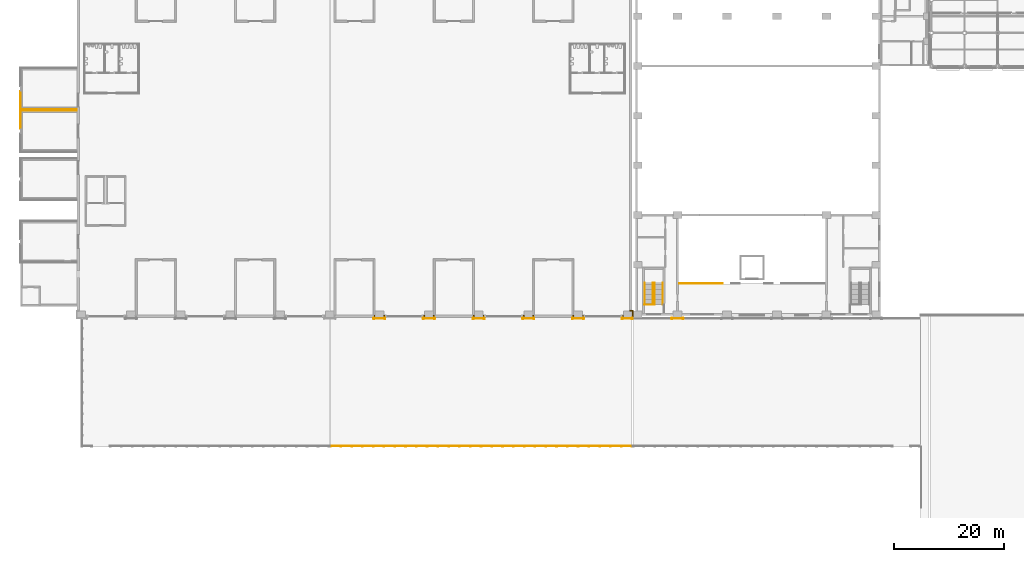
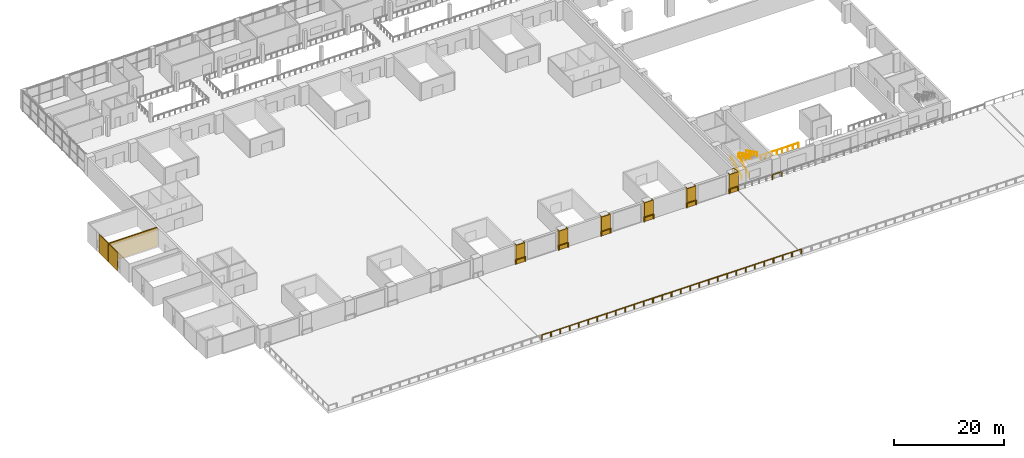
# One storey, part 30 of 39: 14 railings, 10 coverings.
"""IFC4 building model written with IfcOpenShell, lengths in metres."""

import ifcopenshell
import ifcopenshell.guid

model = None  # the IFC model being written
_history = None  # IfcOwnerHistory: only IFC2X3 demands one
_inside = {}  # id of a spatial element -> (the spatial element, [elements in it])
_under = {}  # id of a project, library or spatial element -> (it, [spatial elements below it])
_declared = {}  # id of a project -> (the project, [libraries it declares])
_typed = {}  # id of a type object -> (the type object, [elements of that type])
_made_of = {}  # id of a material, layer set ... -> (it, [elements and type objects made of it])


def new_model(schema):
    """Start an empty IFC model of exactly this schema.

    Asked for "IFC4X3", IfcOpenShell would pick the latest addendum, in which some entities
    have other attributes; the version numbers below select the first issue.
    IFC2X3 requires an IfcOwnerHistory on every rooted entity: one is made here for all.
    """
    global model, _history
    if schema == "IFC4X3":
        model = ifcopenshell.file(schema_version=(4, 3, 0, 0))
    else:
        model = ifcopenshell.file(schema=schema)
    _inside.clear()
    _under.clear()
    _declared.clear()
    _typed.clear()
    _made_of.clear()
    _history = None
    if model.schema == "IFC2X3":
        org = make("IfcOrganization", Name="unknown")
        user = make(
            "IfcPersonAndOrganization",
            ThePerson=make("IfcPerson", FamilyName="unknown"),
            TheOrganization=org,
        )
        app = make(
            "IfcApplication",
            ApplicationDeveloper=org,
            Version="unknown",
            ApplicationFullName="unknown",
            ApplicationIdentifier="unknown",
        )
        _history = make(
            "IfcOwnerHistory",
            OwningUser=user,
            OwningApplication=app,
            ChangeAction="ADDED",
            CreationDate=0,
        )
    return model


def make(cls, **values):
    """One entity of the class cls with the attributes given. An attribute that is None is left unset."""
    return model.create_entity(
        cls, **{name: value for name, value in values.items() if value is not None}
    )


def rooted(cls, **values):
    """An entity with a GlobalId (a new one), such as an element, a storey or a relation."""
    return make(cls, GlobalId=ifcopenshell.guid.new(), OwnerHistory=_history, **values)


def si_unit(unit_type, name, prefix=None):
    """IfcSIUnit, for example si_unit("LENGTHUNIT", "METRE", prefix="MILLI")."""
    return make("IfcSIUnit", UnitType=unit_type, Prefix=prefix, Name=name)


def assignment(units):
    """IfcUnitAssignment: the units of a project."""
    return None if units is None else make("IfcUnitAssignment", Units=units)


def point(xyz):
    """IfcCartesianPoint."""
    return None if xyz is None else make("IfcCartesianPoint", Coordinates=xyz)


def direction(xyz):
    """IfcDirection."""
    return None if xyz is None else make("IfcDirection", DirectionRatios=xyz)


def frame(location, z_axis=None, x_axis=None):
    """IfcAxis2Placement3D, a coordinate frame: its origin and axes. An axis left out is left unset."""
    return make(
        "IfcAxis2Placement3D",
        Location=point(location),
        Axis=direction(z_axis),
        RefDirection=direction(x_axis),
    )


def frame_2d(location, x_axis=None):
    """IfcAxis2Placement2D, a coordinate frame in the plane: its origin and x axis."""
    return make(
        "IfcAxis2Placement2D", Location=point(location), RefDirection=direction(x_axis)
    )


def origin():
    """The frame at (0, 0, 0) with its axes left unset."""
    return frame((0.0, 0.0, 0.0))


def origin_2d():
    """The frame at (0, 0) in the plane with its x axis left unset."""
    return frame_2d((0.0, 0.0))


def place(relative_to, where):
    """IfcLocalPlacement: puts the frame where relative to a parent placement (None: the world)."""
    return make(
        "IfcLocalPlacement", PlacementRelTo=relative_to, RelativePlacement=where
    )


def context(
    kind, dimensions, precision=None, world=None, true_north=None, identifier=None
):
    """IfcGeometricRepresentationContext, for example the 3D "Model" context."""
    return make(
        "IfcGeometricRepresentationContext",
        ContextIdentifier=identifier,
        ContextType=kind,
        CoordinateSpaceDimension=dimensions,
        Precision=precision,
        WorldCoordinateSystem=world,
        TrueNorth=true_north,
    )


def subcontext(parent, identifier, kind, view, scale=None):
    """IfcGeometricRepresentationSubContext, for example "Body" below "Model"."""
    return make(
        "IfcGeometricRepresentationSubContext",
        ContextIdentifier=identifier,
        ContextType=kind,
        ParentContext=parent,
        TargetScale=scale,
        TargetView=view,
    )


def project(units=None, contexts=None):
    """IfcProject with its units and contexts."""
    return rooted(
        "IfcProject",
        Name="project",
        RepresentationContexts=contexts,
        UnitsInContext=assignment(units),
    )


def spatial(cls, under=None, at=None, **own):
    """A site, building, storey or space (cls), placed at a placement, below another one or the project."""
    s = rooted(cls, ObjectPlacement=at, **own)
    if under is not None:
        _under.setdefault(under.id(), (under, []))[1].append(s)
    return s


def polyline(points):
    """IfcPolyline through the points."""
    return make("IfcPolyline", Points=[point(p) for p in points])


def profile(cls, at=None, kind="AREA", **sizes):
    """A parametric profile (cls). Its sizes go by their IFC names, for example OverallWidth=200.0."""
    return make(cls, ProfileType=kind, Position=at, **sizes)


def circle(**sizes):
    """IfcCircleProfileDef."""
    return profile("IfcCircleProfileDef", **sizes)


def outline(outer, holes=None, kind="AREA"):
    """IfcArbitraryClosedProfileDef: a profile drawn as a closed curve; with holes, ...WithVoids."""
    if holes is None:
        return make("IfcArbitraryClosedProfileDef", ProfileType=kind, OuterCurve=outer)
    return make(
        "IfcArbitraryProfileDefWithVoids",
        ProfileType=kind,
        OuterCurve=outer,
        InnerCurves=holes,
    )


def extrude(swept, where, along, depth):
    """IfcExtrudedAreaSolid: the profile swept, set in the frame where, extruded along a direction by depth."""
    return make(
        "IfcExtrudedAreaSolid",
        SweptArea=swept,
        Position=where,
        ExtrudedDirection=direction(along),
        Depth=depth,
    )


def shape(context_of_items, identifier, shape_type, items):
    """IfcShapeRepresentation: the items that make up one representation, for example the "Body"."""
    return make(
        "IfcShapeRepresentation",
        ContextOfItems=context_of_items,
        RepresentationIdentifier=identifier,
        RepresentationType=shape_type,
        Items=items,
    )


def material(Name=None, Category=None):
    """IfcMaterial."""
    return make("IfcMaterial", Name=Name, Category=Category)


def layer(
    of_material, thickness, ventilated=None, Name=None, Category=None, Priority=None
):
    """IfcMaterialLayer: one layer of a wall or slab, of a material (None: an air gap)."""
    return make(
        "IfcMaterialLayer",
        Material=of_material,
        LayerThickness=thickness,
        IsVentilated=ventilated,
        Name=Name,
        Category=Category,
        Priority=Priority,
    )


def layer_set(layers, Name=None):
    """IfcMaterialLayerSet."""
    return make("IfcMaterialLayerSet", MaterialLayers=layers, LayerSetName=Name)


def made_of(thing, what):
    """Note that an element or type object is made of a material, layer set ...; save() writes the relation."""
    if what is not None:
        _made_of.setdefault(what.id(), (what, []))[1].append(thing)
    return thing


def type_object(cls, material=None, **own):
    """A type object (cls), such as IfcWallType, which elements share."""
    return made_of(rooted(cls, **own), material)


def element(
    cls,
    number,
    at=None,
    inside=None,
    cuts=None,
    type_object=None,
    material=None,
    context=None,
    identifier="Body",
    shape_type=None,
    held_by="IfcProductDefinitionShape",
    body=None,
    shapes=None,
    **own,
):
    """One element of the class cls, such as IfcWall. Its Tag is "e" and its number.

    at: its placement. inside: the storey or other place that contains it. cuts: it is an
    opening in that element (IfcRelVoidsElement). A single representation is given by context,
    identifier, shape_type and body (its items); several are given by shapes. held_by: the class
    of the entity that holds the representations. save() writes the other relations.
    """
    e = rooted(cls, Tag="e%d" % number, ObjectPlacement=at, **own)
    if body is not None:
        shapes = [shape(context, identifier, shape_type, body)]
    if shapes is not None:
        e.Representation = make(held_by, Representations=shapes)
    if inside is not None:
        _inside.setdefault(inside.id(), (inside, []))[1].append(e)
    if cuts is not None:
        rooted(
            "IfcRelVoidsElement", RelatingBuildingElement=cuts, RelatedOpeningElement=e
        )
    if type_object is not None:
        _typed.setdefault(type_object.id(), (type_object, []))[1].append(e)
    return made_of(e, material)


def aggregate(whole, parts):
    """IfcRelAggregates: a whole, such as a stair, and the parts it consists of."""
    return rooted("IfcRelAggregates", RelatingObject=whole, RelatedObjects=parts)


def save(model, path):
    """Write the relations noted so far, then the file.

    IfcRelAggregates (storeys below a building ...), IfcRelContainedInSpatialStructure (elements
    in a storey), IfcRelDefinesByType, IfcRelAssociatesMaterial and IfcRelDeclares: one each for
    every whole, place, type object, material and project.
    """
    for whole, parts in _under.values():
        aggregate(whole, parts)
    for where, things in _inside.values():
        rooted(
            "IfcRelContainedInSpatialStructure",
            RelatedElements=things,
            RelatingStructure=where,
        )
    for kind, things in _typed.values():
        rooted("IfcRelDefinesByType", RelatedObjects=things, RelatingType=kind)
    for what, things in _made_of.values():
        rooted("IfcRelAssociatesMaterial", RelatedObjects=things, RelatingMaterial=what)
    for by, libraries in _declared.values():
        rooted("IfcRelDeclares", RelatingContext=by, RelatedDefinitions=libraries)
    model.write(path)


model = new_model("IFC4")

# Units and contexts
model_context = context("Model", 3, precision=1e-05, world=origin(), true_north=direction((0.0, 1.0)))
body_context = subcontext(model_context, "Body", "Model", "MODEL_VIEW")
ifc_project = project(units=[si_unit("LENGTHUNIT", "METRE"), si_unit("AREAUNIT", "SQUARE_METRE"), si_unit("VOLUMEUNIT", "CUBIC_METRE"), si_unit("PLANEANGLEUNIT", "RADIAN"), si_unit("MASSUNIT", "GRAM", prefix="KILO")], contexts=[model_context])

# Site, building, storey
site_placement = place(None, origin())
site = spatial("IfcSite", under=ifc_project, at=site_placement, CompositionType="ELEMENT")
building_placement = place(site_placement, origin())
building = spatial("IfcBuilding", under=site, at=building_placement, Name="Aravalli Gate Trade Fair Centre", CompositionType="ELEMENT")
storey_placement = place(building_placement, frame((0.0, 0.0, 15.0)))
storey = spatial("IfcBuildingStorey", under=building, at=storey_placement, Name="L03", CompositionType="ELEMENT", Elevation=15.0)

# Railings
ifc_material_1 = material(Name="Steel E350", Category="steel")
railing_type_1 = type_object("IfcRailingType", Name="Congress gallery guard 1100", PredefinedType="GUARDRAIL", material=ifc_material_1)
railing_1_placement = place(storey_placement, frame((114.300048828125, 51.60009765625, 0.0)))
element("IfcRailing", 1, at=railing_1_placement, inside=storey, type_object=railing_type_1, Name="Gallery guard 1", PredefinedType="GUARDRAIL", context=body_context, shape_type="SweptSolid", body=[
    extrude(circle(Radius=0.02392578125, at=origin_2d()), frame((0.0, 0.0, 1.076171875), z_axis=(1.0, 0.0, 0.0), x_axis=(0.0, 1.0, 0.0)), (0.0, 0.0, 1.0), 7.89990234375),
    extrude(circle(Radius=0.02099609375, at=origin_2d()), origin(), (0.0, 0.0, 1.0), 1.052001953125),
    extrude(circle(Radius=0.02099609375, at=origin_2d()), frame((1.128662109375, 0.0, 0.0)), (0.0, 0.0, 1.0), 1.052001953125),
    extrude(circle(Radius=0.02099609375, at=origin_2d()), frame((2.257080078125, 0.0, 0.0)), (0.0, 0.0, 1.0), 1.052001953125),
    extrude(circle(Radius=0.02099609375, at=origin_2d()), frame((3.3857421875, 0.0, 0.0)), (0.0, 0.0, 1.0), 1.052001953125),
    extrude(circle(Radius=0.02099609375, at=origin_2d()), frame((4.51416015625, 0.0, 0.0)), (0.0, 0.0, 1.0), 1.052001953125),
    extrude(circle(Radius=0.02099609375, at=origin_2d()), frame((5.642822265625, 0.0, 0.0)), (0.0, 0.0, 1.0), 1.052001953125),
    extrude(circle(Radius=0.02099609375, at=origin_2d()), frame((6.771240234375, 0.0, 0.0)), (0.0, 0.0, 1.0), 1.052001953125),
    extrude(circle(Radius=0.02099609375, at=origin_2d()), frame((7.89990234375, 0.0, 0.0)), (0.0, 0.0, 1.0), 1.052001953125),
])
railing_type_2 = type_object("IfcRailingType", Name="Congress stair guard 1100", PredefinedType="GUARDRAIL", material=ifc_material_1)
railing_2_placement = place(storey_placement, frame((108.030029296875, 47.75, 4.199951171875)))
element("IfcRailing", 2, at=railing_2_placement, inside=storey, type_object=railing_type_2, Name="Guard GS1 head", PredefinedType="GUARDRAIL", context=body_context, shape_type="SweptSolid", body=[
    extrude(circle(Radius=0.02392578125, at=origin_2d()), frame((0.0, 0.0, 1.076171875), z_axis=(1.0, 0.0, 0.0), x_axis=(0.0, 1.0, 0.0)), (0.0, 0.0, 1.0), 1.739990234375),
    extrude(circle(Radius=0.02099609375, at=origin_2d()), origin(), (0.0, 0.0, 1.0), 1.052001953125),
    extrude(circle(Radius=0.02099609375, at=origin_2d()), frame((0.8701171875, 0.0, 0.0)), (0.0, 0.0, 1.0), 1.052001953125),
    extrude(circle(Radius=0.02099609375, at=origin_2d()), frame((1.739990234375, 0.0, 0.0)), (0.0, 0.0, 1.0), 1.052001953125),
])
railing_type_3 = type_object("IfcRailingType", Name="Congress stair handrail 900", PredefinedType="HANDRAIL", material=ifc_material_1)
for number, where, name in (
    (3, (108.070068359375, 47.800048828125, 0.14990234375), "Handrail GS1 L03 1"),
    (4, (109.550048828125, 47.800048828125, 0.14990234375), "Handrail GS1 L03 2"),
):
    element("IfcRailing", number, at=place(storey_placement, frame(where)), inside=storey, type_object=railing_type_3, Name=name, PredefinedType="HANDRAIL", context=body_context, shape_type="SweptSolid", body=[
        extrude(circle(Radius=0.02392578125, at=origin_2d()), frame((0.0, 0.0, 0.8759765625), z_axis=(0.0, 0.894404793364, 0.447258387967), x_axis=(-1.0, 0.0, 0.0)), (0.0, 0.0, 1.0), 4.3603515625),
        extrude(circle(Radius=0.02099609375, at=origin_2d()), origin(), (0.0, 0.0, 1.0), 0.851806640625),
        extrude(circle(Radius=0.02099609375, at=origin_2d()), frame((0.0, 0.97509765625, 0.487548828125)), (0.0, 0.0, 1.0), 0.851806640625),
        extrude(circle(Radius=0.02099609375, at=origin_2d()), frame((0.0, 1.949951171875, 0.97509765625)), (0.0, 0.0, 1.0), 0.851806640625),
        extrude(circle(Radius=0.02099609375, at=origin_2d()), frame((0.0, 2.9248046875, 1.462646484375)), (0.0, 0.0, 1.0), 0.851806640625),
        extrude(circle(Radius=0.02099609375, at=origin_2d()), frame((0.0, 3.89990234375, 1.9501953125)), (0.0, 0.0, 1.0), 0.851806640625),
    ])
for number, where, name in (
    (5, (111.330078125, 51.699951171875, 2.25), "Handrail GS1 L03 3"),
    (6, (109.85009765625, 51.699951171875, 2.25), "Handrail GS1 L03 4"),
):
    element("IfcRailing", number, at=place(storey_placement, frame(where)), inside=storey, type_object=railing_type_3, Name=name, PredefinedType="HANDRAIL", context=body_context, shape_type="SweptSolid", body=[
        extrude(circle(Radius=0.02392578125, at=origin_2d()), frame((0.0, 0.0, 0.8759765625), z_axis=(0.0, -0.894427191, 0.4472135955), x_axis=(1.0, 0.0, 0.0)), (0.0, 0.0, 1.0), 4.360107421875),
        extrude(circle(Radius=0.02099609375, at=origin_2d()), origin(), (0.0, 0.0, 1.0), 0.851806640625),
        extrude(circle(Radius=0.02099609375, at=origin_2d()), frame((0.0, -0.97509765625, 0.487548828125)), (0.0, 0.0, 1.0), 0.851806640625),
        extrude(circle(Radius=0.02099609375, at=origin_2d()), frame((0.0, -1.949951171875, 0.97509765625)), (0.0, 0.0, 1.0), 0.851806640625),
        extrude(circle(Radius=0.02099609375, at=origin_2d()), frame((0.0, -2.9248046875, 1.46240234375)), (0.0, 0.0, 1.0), 0.851806640625),
        extrude(circle(Radius=0.02099609375, at=origin_2d()), frame((0.0, -3.89990234375, 1.949951171875)), (0.0, 0.0, 1.0), 0.851806640625),
    ])
railing_type_4 = type_object("IfcRailingType", Name="Crash barrier 1100", PredefinedType="USERDEFINED", material=ifc_material_1)
railing_3_placement = place(storey_placement, frame((51.10009765625, 22.14990234375, 0.0)))
element("IfcRailing", 7, at=railing_3_placement, inside=storey, type_object=railing_type_4, Name="Crash barrier 3", ObjectType="Crash barrier", PredefinedType="USERDEFINED", context=body_context, shape_type="SweptSolid", body=[
    extrude(circle(Radius=0.06982421875, at=origin_2d()), frame((0.0, 0.0, 1.0302734375), z_axis=(1.0, 0.0, 0.0), x_axis=(0.0, 1.0, 0.0)), (0.0, 0.0, 1.0), 54.699951171875),
    extrude(circle(Radius=0.10009765625, at=origin_2d()), origin(), (0.0, 0.0, 1.0), 0.960205078125),
    extrude(circle(Radius=0.10009765625, at=origin_2d()), frame((1.95361328125, 0.0, 0.0)), (0.0, 0.0, 1.0), 0.960205078125),
    extrude(circle(Radius=0.10009765625, at=origin_2d()), frame((3.9072265625, 0.0, 0.0)), (0.0, 0.0, 1.0), 0.960205078125),
    extrude(circle(Radius=0.10009765625, at=origin_2d()), frame((5.860595703125, 0.0, 0.0)), (0.0, 0.0, 1.0), 0.960205078125),
    extrude(circle(Radius=0.10009765625, at=origin_2d()), frame((7.814208984375, 0.0, 0.0)), (0.0, 0.0, 1.0), 0.960205078125),
    extrude(circle(Radius=0.10009765625, at=origin_2d()), frame((9.767822265625, 0.0, 0.0)), (0.0, 0.0, 1.0), 0.960205078125),
    extrude(circle(Radius=0.10009765625, at=origin_2d()), frame((11.721435546875, 0.0, 0.0)), (0.0, 0.0, 1.0), 0.960205078125),
    extrude(circle(Radius=0.10009765625, at=origin_2d()), frame((13.675048828125, 0.0, 0.0)), (0.0, 0.0, 1.0), 0.960205078125),
    extrude(circle(Radius=0.10009765625, at=origin_2d()), frame((15.628662109375, 0.0, 0.0)), (0.0, 0.0, 1.0), 0.960205078125),
    extrude(circle(Radius=0.10009765625, at=origin_2d()), frame((17.58203125, 0.0, 0.0)), (0.0, 0.0, 1.0), 0.960205078125),
    extrude(circle(Radius=0.10009765625, at=origin_2d()), frame((19.53564453125, 0.0, 0.0)), (0.0, 0.0, 1.0), 0.960205078125),
    extrude(circle(Radius=0.10009765625, at=origin_2d()), frame((21.4892578125, 0.0, 0.0)), (0.0, 0.0, 1.0), 0.960205078125),
    extrude(circle(Radius=0.10009765625, at=origin_2d()), frame((23.44287109375, 0.0, 0.0)), (0.0, 0.0, 1.0), 0.960205078125),
    extrude(circle(Radius=0.10009765625, at=origin_2d()), frame((25.396484375, 0.0, 0.0)), (0.0, 0.0, 1.0), 0.960205078125),
    extrude(circle(Radius=0.10009765625, at=origin_2d()), frame((27.35009765625, 0.0, 0.0)), (0.0, 0.0, 1.0), 0.960205078125),
    extrude(circle(Radius=0.10009765625, at=origin_2d()), frame((29.303466796875, 0.0, 0.0)), (0.0, 0.0, 1.0), 0.960205078125),
    extrude(circle(Radius=0.10009765625, at=origin_2d()), frame((31.257080078125, 0.0, 0.0)), (0.0, 0.0, 1.0), 0.960205078125),
    extrude(circle(Radius=0.10009765625, at=origin_2d()), frame((33.210693359375, 0.0, 0.0)), (0.0, 0.0, 1.0), 0.960205078125),
    extrude(circle(Radius=0.10009765625, at=origin_2d()), frame((35.164306640625, 0.0, 0.0)), (0.0, 0.0, 1.0), 0.960205078125),
    extrude(circle(Radius=0.10009765625, at=origin_2d()), frame((37.117919921875, 0.0, 0.0)), (0.0, 0.0, 1.0), 0.960205078125),
    extrude(circle(Radius=0.10009765625, at=origin_2d()), frame((39.0712890625, 0.0, 0.0)), (0.0, 0.0, 1.0), 0.960205078125),
    extrude(circle(Radius=0.10009765625, at=origin_2d()), frame((41.02490234375, 0.0, 0.0)), (0.0, 0.0, 1.0), 0.960205078125),
    extrude(circle(Radius=0.10009765625, at=origin_2d()), frame((42.978515625, 0.0, 0.0)), (0.0, 0.0, 1.0), 0.960205078125),
    extrude(circle(Radius=0.10009765625, at=origin_2d()), frame((44.93212890625, 0.0, 0.0)), (0.0, 0.0, 1.0), 0.960205078125),
    extrude(circle(Radius=0.10009765625, at=origin_2d()), frame((46.8857421875, 0.0, 0.0)), (0.0, 0.0, 1.0), 0.960205078125),
    extrude(circle(Radius=0.10009765625, at=origin_2d()), frame((48.83935546875, 0.0, 0.0)), (0.0, 0.0, 1.0), 0.960205078125),
    extrude(circle(Radius=0.10009765625, at=origin_2d()), frame((50.792724609375, 0.0, 0.0)), (0.0, 0.0, 1.0), 0.960205078125),
    extrude(circle(Radius=0.10009765625, at=origin_2d()), frame((52.746337890625, 0.0, 0.0)), (0.0, 0.0, 1.0), 0.960205078125),
    extrude(circle(Radius=0.10009765625, at=origin_2d()), frame((54.699951171875, 0.0, 0.0)), (0.0, 0.0, 1.0), 0.960205078125),
])
for number, where, name in (
    (8, (59.0, 45.25, 0.0), "Pier crash rail 8"),
    (9, (68.0, 45.25, 0.0), "Pier crash rail 9"),
    (10, (77.0, 45.25, 0.0), "Pier crash rail 10"),
    (11, (86.0, 45.25, 0.0), "Pier crash rail 11"),
    (12, (95.0, 45.25, 0.0), "Pier crash rail 12"),
):
    element("IfcRailing", number, at=place(storey_placement, frame(where)), inside=storey, type_object=railing_type_4, Name=name, ObjectType="Crash barrier", PredefinedType="USERDEFINED", context=body_context, shape_type="SweptSolid", body=[
        extrude(circle(Radius=0.06982421875, at=origin_2d()), frame((0.0, 0.0, 1.0302734375), z_axis=(1.0, 0.0, 0.0), x_axis=(0.0, 1.0, 0.0)), (0.0, 0.0, 1.0), 2.0),
        extrude(circle(Radius=0.10009765625, at=origin_2d()), origin(), (0.0, 0.0, 1.0), 0.960205078125),
        extrude(circle(Radius=0.10009765625, at=origin_2d()), frame((2.0, 0.0, 0.0)), (0.0, 0.0, 1.0), 0.960205078125),
    ])
railing_4_placement = place(storey_placement, frame((104.0, 45.25, 0.0)))
element("IfcRailing", 13, at=railing_4_placement, inside=storey, type_object=railing_type_4, Name="Pier crash rail 13", ObjectType="Crash barrier", PredefinedType="USERDEFINED", context=body_context, shape_type="SweptSolid", body=[
    extrude(circle(Radius=0.06982421875, at=origin_2d()), frame((0.0, 0.0, 1.0302734375), z_axis=(1.0, 0.0, 0.0), x_axis=(0.0, 1.0, 0.0)), (0.0, 0.0, 1.0), 1.800048828125),
    extrude(circle(Radius=0.10009765625, at=origin_2d()), origin(), (0.0, 0.0, 1.0), 0.960205078125),
    extrude(circle(Radius=0.10009765625, at=origin_2d()), frame((1.800048828125, 0.0, 0.0)), (0.0, 0.0, 1.0), 0.960205078125),
])
railing_5_placement = place(storey_placement, frame((113.0, 45.25, 0.0)))
element("IfcRailing", 14, at=railing_5_placement, inside=storey, type_object=railing_type_4, Name="Pier crash rail 14", ObjectType="Crash barrier", PredefinedType="USERDEFINED", context=body_context, shape_type="SweptSolid", body=[
    extrude(circle(Radius=0.06982421875, at=origin_2d()), frame((0.0, 0.0, 1.0302734375), z_axis=(1.0, 0.0, 0.0), x_axis=(0.0, 1.0, 0.0)), (0.0, 0.0, 1.0), 2.0),
    extrude(circle(Radius=0.10009765625, at=origin_2d()), origin(), (0.0, 0.0, 1.0), 0.960205078125),
    extrude(circle(Radius=0.10009765625, at=origin_2d()), frame((2.0, 0.0, 0.0)), (0.0, 0.0, 1.0), 0.960205078125),
])

# Coverings
ifc_material_2 = material(Name="Terracotta", Category="masonry")
ifc_layer_1 = layer(ifc_material_2, 0.10009765625)
ifc_layer_set_1 = layer_set([ifc_layer_1], Name="Terracotta")
covering_type_1 = type_object("IfcCoveringType", Name="End tower cladding 100", PredefinedType="CLADDING", material=ifc_layer_set_1)
covering_1_placement = place(storey_placement, origin())
element("IfcCovering", 15, at=covering_1_placement, inside=storey, type_object=covering_type_1, Name="End tower W2 cladding L03 side B", PredefinedType="CLADDING", context=body_context, shape_type="SweptSolid", body=[
    extrude(outline(polyline([(5.199951171875, 82.89990234375), (-5.10009765625, 82.89990234375), (-5.10009765625, 83.0), (5.199951171875, 83.0), (5.199951171875, 82.89990234375)])), origin(), (0.0, 0.0, 1.0), 4.199951171875),
])
covering_2_placement = place(storey_placement, origin())
element("IfcCovering", 16, at=covering_2_placement, inside=storey, type_object=covering_type_1, Name="End tower W2 cladding L03 far right", PredefinedType="CLADDING", context=body_context, shape_type="SweptSolid", body=[
    extrude(outline(polyline([(-5.0, 79.64990234375), (-5.10009765625, 79.64990234375), (-5.10009765625, 82.89990234375), (-5.0, 82.89990234375), (-5.0, 79.64990234375)])), origin(), (0.0, 0.0, 1.0), 4.199951171875),
])
covering_3_placement = place(storey_placement, origin())
element("IfcCovering", 17, at=covering_3_placement, inside=storey, type_object=covering_type_1, Name="End tower W5 cladding L03 side A", PredefinedType="CLADDING", context=body_context, shape_type="SweptSolid", body=[
    extrude(outline(polyline([(5.199951171875, 83.10009765625), (-5.10009765625, 83.10009765625), (-5.10009765625, 83.199951171875), (5.199951171875, 83.199951171875), (5.199951171875, 83.10009765625)])), origin(), (0.0, 0.0, 1.0), 4.199951171875),
])
covering_4_placement = place(storey_placement, origin())
element("IfcCovering", 18, at=covering_4_placement, inside=storey, type_object=covering_type_1, Name="End tower W5 cladding L03 far left", PredefinedType="CLADDING", context=body_context, shape_type="SweptSolid", body=[
    extrude(outline(polyline([(-5.0, 83.199951171875), (-5.10009765625, 83.199951171875), (-5.10009765625, 86.449951171875), (-5.0, 86.449951171875), (-5.0, 83.199951171875)])), origin(), (0.0, 0.0, 1.0), 4.199951171875),
])
ifc_layer_2 = layer(ifc_material_2, 0.14990234375)
ifc_layer_set_2 = layer_set([ifc_layer_2], Name="Terracotta")
covering_type_2 = type_object("IfcCoveringType", Name="Terracotta pier casing", PredefinedType="CLADDING", material=ifc_layer_set_2)
covering_5_placement = place(storey_placement, origin())
element("IfcCovering", 19, at=covering_5_placement, inside=storey, type_object=covering_type_2, Name="Clad pier A7 L03", PredefinedType="CLADDING", context=body_context, shape_type="SweptSolid", body=[
    extrude(outline(polyline([(59.050048828125, 45.85009765625), (59.199951171875, 45.85009765625), (59.199951171875, 45.39990234375), (60.800048828125, 45.39990234375), (60.800048828125, 45.85009765625), (60.949951171875, 45.85009765625), (60.949951171875, 45.25), (59.050048828125, 45.25), (59.050048828125, 45.85009765625)])), origin(), (0.0, 0.0, 1.0), 4.199951171875),
])
covering_6_placement = place(storey_placement, origin())
element("IfcCovering", 20, at=covering_6_placement, inside=storey, type_object=covering_type_2, Name="Clad pier A8 L03", PredefinedType="CLADDING", context=body_context, shape_type="SweptSolid", body=[
    extrude(outline(polyline([(68.050048828125, 45.85009765625), (68.199951171875, 45.85009765625), (68.199951171875, 45.39990234375), (69.800048828125, 45.39990234375), (69.800048828125, 45.85009765625), (69.949951171875, 45.85009765625), (69.949951171875, 45.25), (68.050048828125, 45.25), (68.050048828125, 45.85009765625)])), origin(), (0.0, 0.0, 1.0), 4.199951171875),
])
covering_7_placement = place(storey_placement, origin())
element("IfcCovering", 21, at=covering_7_placement, inside=storey, type_object=covering_type_2, Name="Clad pier A9 L03", PredefinedType="CLADDING", context=body_context, shape_type="SweptSolid", body=[
    extrude(outline(polyline([(77.050048828125, 45.85009765625), (77.199951171875, 45.85009765625), (77.199951171875, 45.39990234375), (78.800048828125, 45.39990234375), (78.800048828125, 45.85009765625), (78.949951171875, 45.85009765625), (78.949951171875, 45.25), (77.050048828125, 45.25), (77.050048828125, 45.85009765625)])), origin(), (0.0, 0.0, 1.0), 4.199951171875),
])
covering_8_placement = place(storey_placement, origin())
element("IfcCovering", 22, at=covering_8_placement, inside=storey, type_object=covering_type_2, Name="Clad pier A10 L03", PredefinedType="CLADDING", context=body_context, shape_type="SweptSolid", body=[
    extrude(outline(polyline([(86.050048828125, 45.85009765625), (86.199951171875, 45.85009765625), (86.199951171875, 45.39990234375), (87.800048828125, 45.39990234375), (87.800048828125, 45.85009765625), (87.949951171875, 45.85009765625), (87.949951171875, 45.25), (86.050048828125, 45.25), (86.050048828125, 45.85009765625)])), origin(), (0.0, 0.0, 1.0), 4.199951171875),
])
covering_9_placement = place(storey_placement, origin())
element("IfcCovering", 23, at=covering_9_placement, inside=storey, type_object=covering_type_2, Name="Clad pier A11 L03", PredefinedType="CLADDING", context=body_context, shape_type="SweptSolid", body=[
    extrude(outline(polyline([(95.050048828125, 45.85009765625), (95.199951171875, 45.85009765625), (95.199951171875, 45.39990234375), (96.800048828125, 45.39990234375), (96.800048828125, 45.85009765625), (96.949951171875, 45.85009765625), (96.949951171875, 45.25), (95.050048828125, 45.25), (95.050048828125, 45.85009765625)])), origin(), (0.0, 0.0, 1.0), 4.199951171875),
])
covering_10_placement = place(storey_placement, origin())
element("IfcCovering", 24, at=covering_10_placement, inside=storey, type_object=covering_type_2, Name="Clad pier A12 L03", PredefinedType="CLADDING", context=body_context, shape_type="SweptSolid", body=[
    extrude(outline(polyline([(104.050048828125, 45.85009765625), (104.199951171875, 45.85009765625), (104.199951171875, 45.39990234375), (105.800048828125, 45.39990234375), (105.800048828125, 46.60009765625), (105.35009765625, 46.60009765625), (105.35009765625, 46.75), (105.949951171875, 46.75), (105.949951171875, 45.25), (104.050048828125, 45.25), (104.050048828125, 45.85009765625)])), origin(), (0.0, 0.0, 1.0), 4.199951171875),
])

save(model, "model.ifc")
